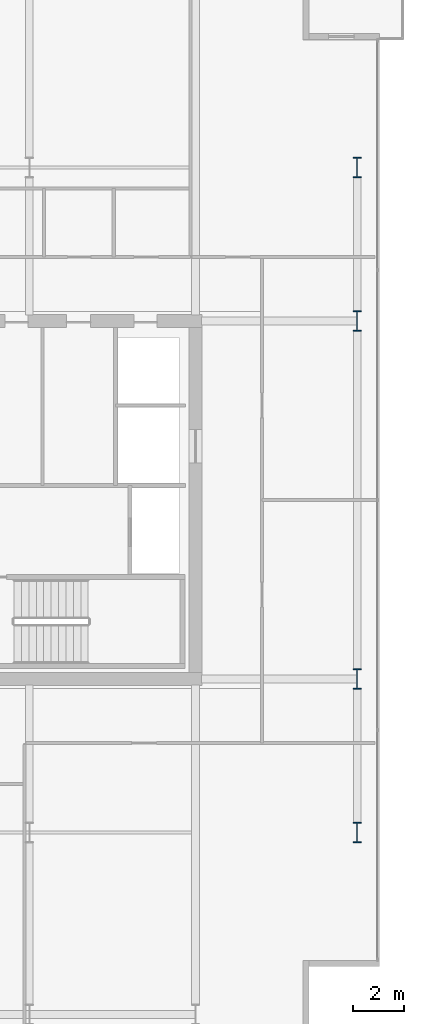
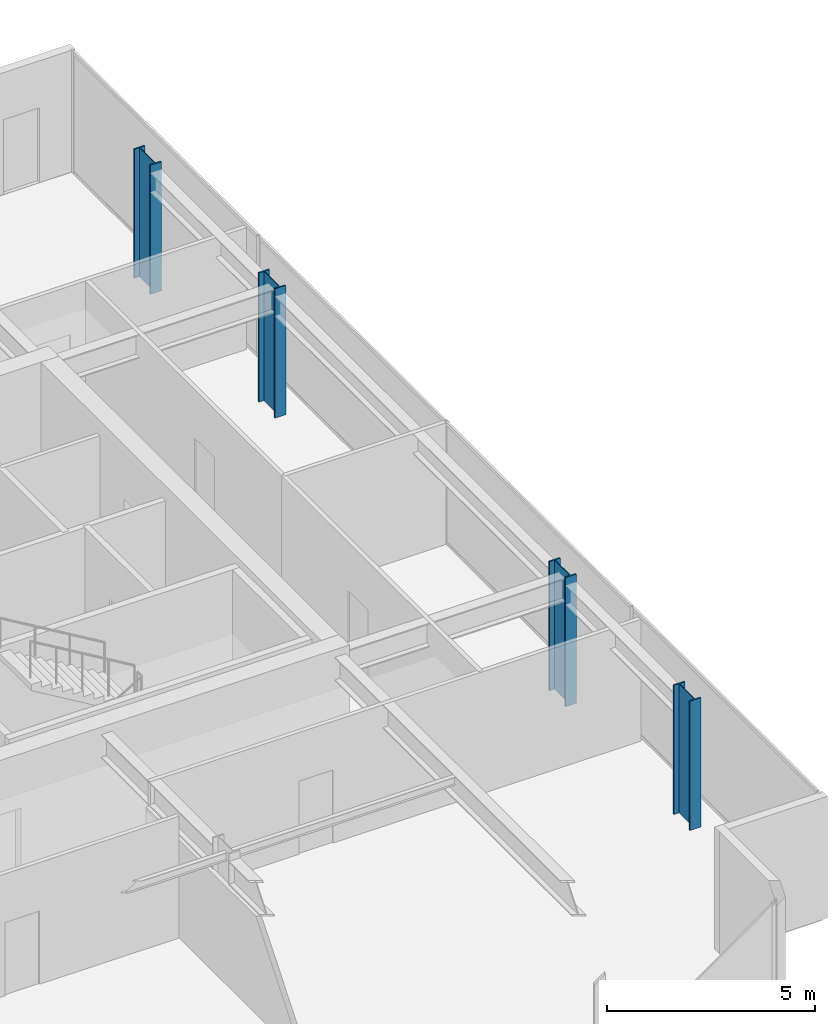
# One storey, part 2 of 23: 4 columns.
"""IFC4 building model written with IfcOpenShell, lengths in metres."""

from ifc_helpers import new_model, si_unit, direction, frame, origin, origin_2d, place, context, subcontext, project, spatial, i_section, extrude, material, material_profile, profile_set, type_object, element, save


model = new_model("IFC4")

# Units and contexts
model_context = context("Model", 3, precision=1e-05, world=origin(), true_north=direction((0.0, 1.0)))
body_context = subcontext(model_context, "Body", "Model", "MODEL_VIEW")
ifc_project = project(units=[si_unit("LENGTHUNIT", "METRE"), si_unit("AREAUNIT", "SQUARE_METRE"), si_unit("VOLUMEUNIT", "CUBIC_METRE"), si_unit("PLANEANGLEUNIT", "RADIAN"), si_unit("MASSUNIT", "GRAM", prefix="KILO")], contexts=[model_context])

# Site, building, storey
site_placement = place(None, origin())
site = spatial("IfcSite", under=ifc_project, at=site_placement, CompositionType="ELEMENT")
building_placement = place(site_placement, origin())
building = spatial("IfcBuilding", under=site, at=building_placement, Name="Putna Gate Headquarters", CompositionType="ELEMENT")
storey_placement = place(building_placement, frame((0.0, 0.0, 202.39990234375)))
storey = spatial("IfcBuildingStorey", under=building, at=storey_placement, Name="L50", CompositionType="ELEMENT", Elevation=202.39990234375)

# Columns
ifc_material = material(Name="Steel S460M", Category="steel")
ifc_material_profile = material_profile(ifc_material, i_section(OverallWidth=0.302978515625, OverallDepth=0.81396484375, WebThickness=0.02099609375, FlangeThickness=0.0400390625, at=origin_2d()), Name="Steel S460M")
ifc_profile_set = profile_set([ifc_material_profile], Name="Steel S460M")
column_type = type_object("IfcColumnType", Name="COL-STL-HEM800-EXT", PredefinedType="COLUMN", material=ifc_profile_set)
for number, where, z_axis, x_axis, name in (
    (1, (71.320068359375, 13.0, 0.0), (0.0, 0.0, 1.0), (1.0, 0.0, 0.0), "L50 Column CP-E13"),
    (2, (71.320068359375, 19.0, 0.0), (0.0, 0.0, 1.0), (1.0, 0.0, 0.0), "L50 Column CP-E19"),
    (3, (71.320068359375, 33.0, 0.0), (0.0, 0.0, 1.0), (1.0, 0.0, 0.0), "L50 Column CP-E33"),
    (4, (71.320068359375, 39.0, 0.0), (0.0, 0.0, 1.0), (1.0, 0.0, 0.0), "L50 Column CP-E39"),
):
    element("IfcColumn", number, at=place(storey_placement, frame(where, z_axis=z_axis, x_axis=x_axis)), inside=storey, type_object=column_type, Name=name, PredefinedType="COLUMN", context=body_context, shape_type="SweptSolid", body=[
        extrude(i_section(OverallWidth=0.302978515625, OverallDepth=0.81396484375, WebThickness=0.02099609375, FlangeThickness=0.0400390625, at=origin_2d()), origin(), (0.0, 0.0, 1.0), 3.800048828125),
    ])

save(model, "model.ifc")
